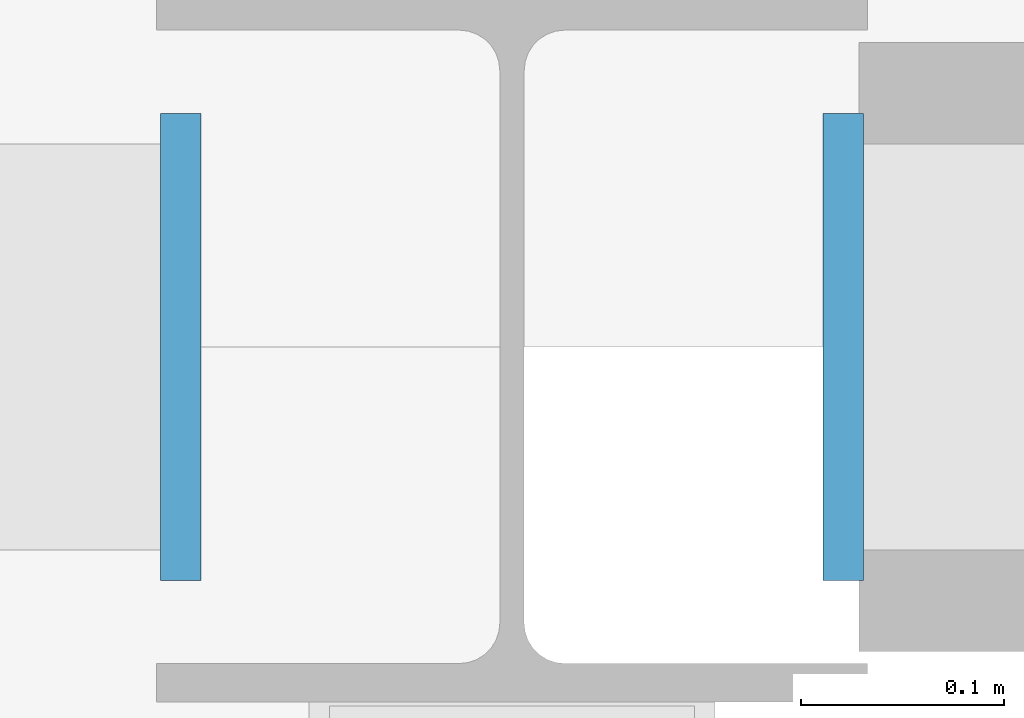
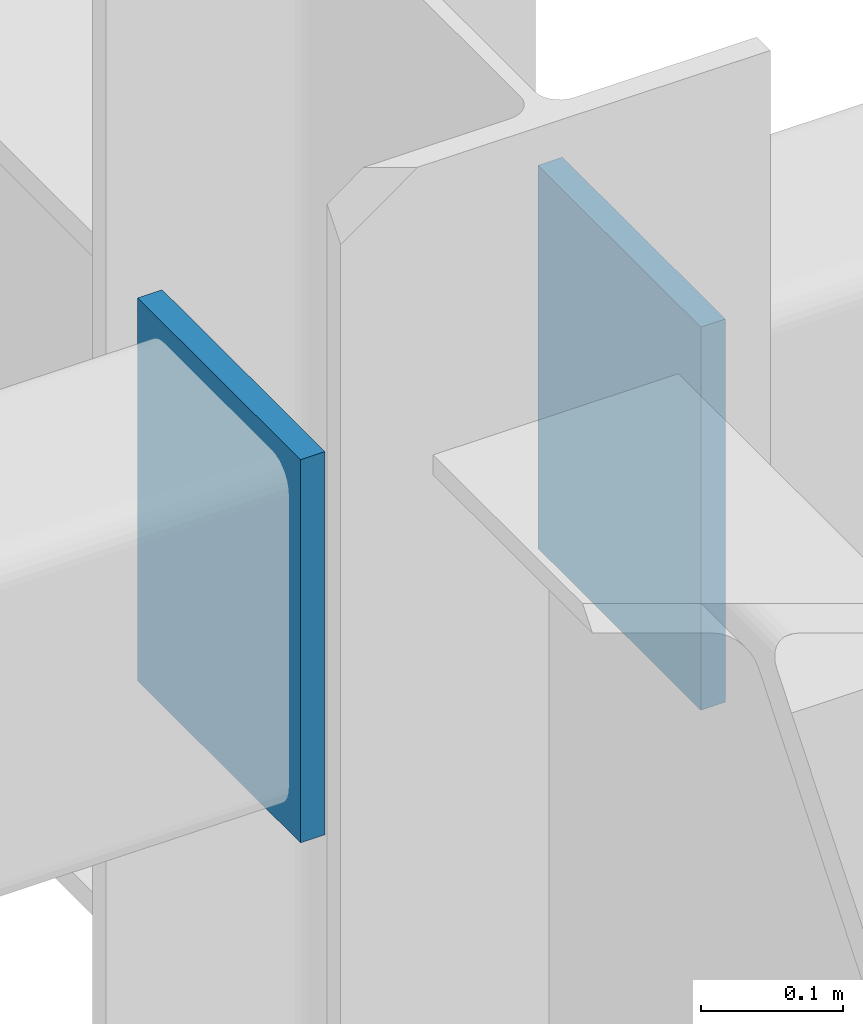
# One storey, part 118 of 184: 2 plates.
"""IFC4 building model written with IfcOpenShell, lengths in metres."""

from ifc_helpers import new_model, si_unit, direction, frame, origin, origin_2d, place, context, subcontext, project, spatial, rectangle, extrude, material, layer, layer_set, type_object, element, save


model = new_model("IFC4")

# Units and contexts
model_context = context("Model", 3, precision=1e-05, world=origin(), true_north=direction((0.0, 1.0)))
body_context = subcontext(model_context, "Body", "Model", "MODEL_VIEW")
ifc_project = project(units=[si_unit("LENGTHUNIT", "METRE"), si_unit("AREAUNIT", "SQUARE_METRE"), si_unit("VOLUMEUNIT", "CUBIC_METRE"), si_unit("PLANEANGLEUNIT", "RADIAN"), si_unit("MASSUNIT", "GRAM", prefix="KILO")], contexts=[model_context])

# Site, building, storey
site_placement = place(None, origin())
site = spatial("IfcSite", under=ifc_project, at=site_placement, CompositionType="ELEMENT")
building_placement = place(site_placement, origin())
building = spatial("IfcBuilding", under=site, at=building_placement, Name="Zhaolan Boulevard Law Courts", CompositionType="ELEMENT")
storey_placement = place(building_placement, frame((0.0, 0.0, 5.39990234375)))
storey = spatial("IfcBuildingStorey", under=building, at=storey_placement, Name="L01", CompositionType="ELEMENT", Elevation=5.39990234375)

# Plates
ifc_material = material(Name="Structural steel Q355B", Category="steel")
ifc_layer = layer(ifc_material, 0.02001953125)
ifc_layer_set = layer_set([ifc_layer])
plate_type = type_object("IfcPlateType", Name="END CAP PLATE 20", PredefinedType="SHEET", material=ifc_layer_set)
for number, where, z_axis, x_axis, name in (
    (1, (59.8369140625, 62.0, 4.802978515625), (0.0, 0.0, 1.0), (1.0, 0.0, 0.0), "Hollow Section End-Cap Plate ECP-0792"),
    (2, (60.1630859375, 62.0, 4.802978515625), (0.0, 0.0, 1.0), (1.0, 0.0, 0.0), "Hollow Section End-Cap Plate ECP-0793"),
):
    element("IfcPlate", number, at=place(storey_placement, frame(where, z_axis=z_axis, x_axis=x_axis)), inside=storey, type_object=plate_type, Name=name, PredefinedType="SHEET", context=body_context, shape_type="SweptSolid", body=[
        extrude(rectangle(XDim=0.02001953125, YDim=0.22998046875, at=origin_2d()), origin(), (0.0, 0.0, 1.0), 0.330078125),
    ])

save(model, "model.ifc")
